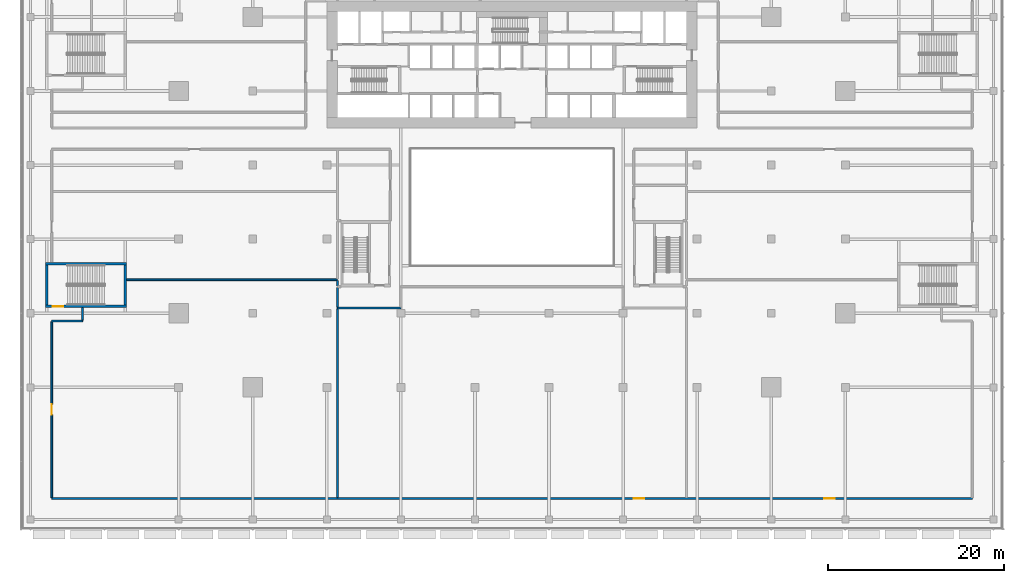
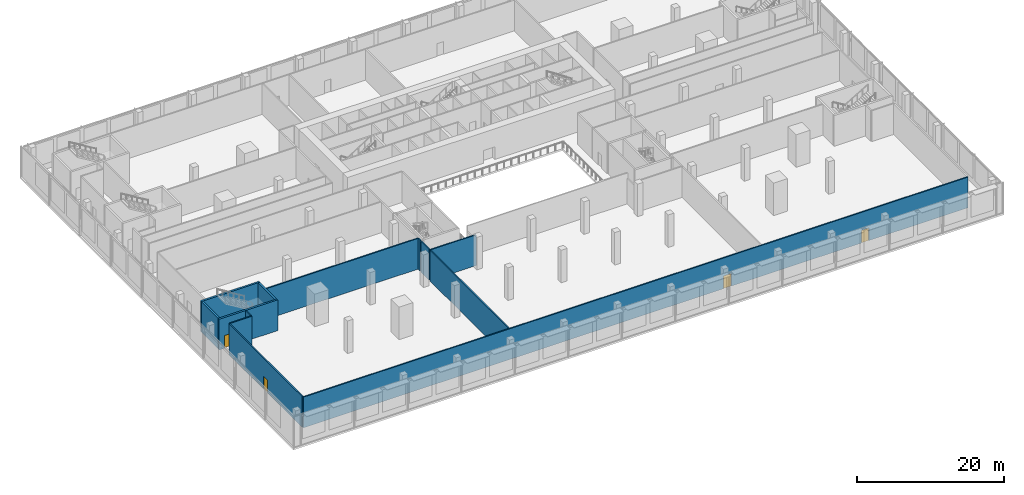
# One storey, part 26 of 39: 13 walls, 4 doors, 4 openings.
"""IFC4 building model written with IfcOpenShell, lengths in metres."""

import ifcopenshell
import ifcopenshell.guid

model = None  # the IFC model being written
_history = None  # IfcOwnerHistory: only IFC2X3 demands one
_inside = {}  # id of a spatial element -> (the spatial element, [elements in it])
_under = {}  # id of a project, library or spatial element -> (it, [spatial elements below it])
_declared = {}  # id of a project -> (the project, [libraries it declares])
_typed = {}  # id of a type object -> (the type object, [elements of that type])
_made_of = {}  # id of a material, layer set ... -> (it, [elements and type objects made of it])


def new_model(schema):
    """Start an empty IFC model of exactly this schema.

    Asked for "IFC4X3", IfcOpenShell would pick the latest addendum, in which some entities
    have other attributes; the version numbers below select the first issue.
    IFC2X3 requires an IfcOwnerHistory on every rooted entity: one is made here for all.
    """
    global model, _history
    if schema == "IFC4X3":
        model = ifcopenshell.file(schema_version=(4, 3, 0, 0))
    else:
        model = ifcopenshell.file(schema=schema)
    _inside.clear()
    _under.clear()
    _declared.clear()
    _typed.clear()
    _made_of.clear()
    _history = None
    if model.schema == "IFC2X3":
        org = make("IfcOrganization", Name="unknown")
        user = make(
            "IfcPersonAndOrganization",
            ThePerson=make("IfcPerson", FamilyName="unknown"),
            TheOrganization=org,
        )
        app = make(
            "IfcApplication",
            ApplicationDeveloper=org,
            Version="unknown",
            ApplicationFullName="unknown",
            ApplicationIdentifier="unknown",
        )
        _history = make(
            "IfcOwnerHistory",
            OwningUser=user,
            OwningApplication=app,
            ChangeAction="ADDED",
            CreationDate=0,
        )
    return model


def make(cls, **values):
    """One entity of the class cls with the attributes given. An attribute that is None is left unset."""
    return model.create_entity(
        cls, **{name: value for name, value in values.items() if value is not None}
    )


def rooted(cls, **values):
    """An entity with a GlobalId (a new one), such as an element, a storey or a relation."""
    return make(cls, GlobalId=ifcopenshell.guid.new(), OwnerHistory=_history, **values)


def si_unit(unit_type, name, prefix=None):
    """IfcSIUnit, for example si_unit("LENGTHUNIT", "METRE", prefix="MILLI")."""
    return make("IfcSIUnit", UnitType=unit_type, Prefix=prefix, Name=name)


def assignment(units):
    """IfcUnitAssignment: the units of a project."""
    return None if units is None else make("IfcUnitAssignment", Units=units)


def point(xyz):
    """IfcCartesianPoint."""
    return None if xyz is None else make("IfcCartesianPoint", Coordinates=xyz)


def direction(xyz):
    """IfcDirection."""
    return None if xyz is None else make("IfcDirection", DirectionRatios=xyz)


def frame(location, z_axis=None, x_axis=None):
    """IfcAxis2Placement3D, a coordinate frame: its origin and axes. An axis left out is left unset."""
    return make(
        "IfcAxis2Placement3D",
        Location=point(location),
        Axis=direction(z_axis),
        RefDirection=direction(x_axis),
    )


def frame_2d(location, x_axis=None):
    """IfcAxis2Placement2D, a coordinate frame in the plane: its origin and x axis."""
    return make(
        "IfcAxis2Placement2D", Location=point(location), RefDirection=direction(x_axis)
    )


def origin():
    """The frame at (0, 0, 0) with its axes left unset."""
    return frame((0.0, 0.0, 0.0))


def place(relative_to, where):
    """IfcLocalPlacement: puts the frame where relative to a parent placement (None: the world)."""
    return make(
        "IfcLocalPlacement", PlacementRelTo=relative_to, RelativePlacement=where
    )


def context(
    kind, dimensions, precision=None, world=None, true_north=None, identifier=None
):
    """IfcGeometricRepresentationContext, for example the 3D "Model" context."""
    return make(
        "IfcGeometricRepresentationContext",
        ContextIdentifier=identifier,
        ContextType=kind,
        CoordinateSpaceDimension=dimensions,
        Precision=precision,
        WorldCoordinateSystem=world,
        TrueNorth=true_north,
    )


def subcontext(parent, identifier, kind, view, scale=None):
    """IfcGeometricRepresentationSubContext, for example "Body" below "Model"."""
    return make(
        "IfcGeometricRepresentationSubContext",
        ContextIdentifier=identifier,
        ContextType=kind,
        ParentContext=parent,
        TargetScale=scale,
        TargetView=view,
    )


def project(units=None, contexts=None):
    """IfcProject with its units and contexts."""
    return rooted(
        "IfcProject",
        Name="project",
        RepresentationContexts=contexts,
        UnitsInContext=assignment(units),
    )


def spatial(cls, under=None, at=None, **own):
    """A site, building, storey or space (cls), placed at a placement, below another one or the project."""
    s = rooted(cls, ObjectPlacement=at, **own)
    if under is not None:
        _under.setdefault(under.id(), (under, []))[1].append(s)
    return s


def profile(cls, at=None, kind="AREA", **sizes):
    """A parametric profile (cls). Its sizes go by their IFC names, for example OverallWidth=200.0."""
    return make(cls, ProfileType=kind, Position=at, **sizes)


def rectangle(**sizes):
    """IfcRectangleProfileDef."""
    return profile("IfcRectangleProfileDef", **sizes)


def extrude(swept, where, along, depth):
    """IfcExtrudedAreaSolid: the profile swept, set in the frame where, extruded along a direction by depth."""
    return make(
        "IfcExtrudedAreaSolid",
        SweptArea=swept,
        Position=where,
        ExtrudedDirection=direction(along),
        Depth=depth,
    )


def shape(context_of_items, identifier, shape_type, items):
    """IfcShapeRepresentation: the items that make up one representation, for example the "Body"."""
    return make(
        "IfcShapeRepresentation",
        ContextOfItems=context_of_items,
        RepresentationIdentifier=identifier,
        RepresentationType=shape_type,
        Items=items,
    )


def material(Name=None, Category=None):
    """IfcMaterial."""
    return make("IfcMaterial", Name=Name, Category=Category)


def layer(
    of_material, thickness, ventilated=None, Name=None, Category=None, Priority=None
):
    """IfcMaterialLayer: one layer of a wall or slab, of a material (None: an air gap)."""
    return make(
        "IfcMaterialLayer",
        Material=of_material,
        LayerThickness=thickness,
        IsVentilated=ventilated,
        Name=Name,
        Category=Category,
        Priority=Priority,
    )


def layer_set(layers, Name=None):
    """IfcMaterialLayerSet."""
    return make("IfcMaterialLayerSet", MaterialLayers=layers, LayerSetName=Name)


def made_of(thing, what):
    """Note that an element or type object is made of a material, layer set ...; save() writes the relation."""
    if what is not None:
        _made_of.setdefault(what.id(), (what, []))[1].append(thing)
    return thing


def type_object(cls, material=None, **own):
    """A type object (cls), such as IfcWallType, which elements share."""
    return made_of(rooted(cls, **own), material)


def element(
    cls,
    number,
    at=None,
    inside=None,
    cuts=None,
    type_object=None,
    material=None,
    context=None,
    identifier="Body",
    shape_type=None,
    held_by="IfcProductDefinitionShape",
    body=None,
    shapes=None,
    **own,
):
    """One element of the class cls, such as IfcWall. Its Tag is "e" and its number.

    at: its placement. inside: the storey or other place that contains it. cuts: it is an
    opening in that element (IfcRelVoidsElement). A single representation is given by context,
    identifier, shape_type and body (its items); several are given by shapes. held_by: the class
    of the entity that holds the representations. save() writes the other relations.
    """
    e = rooted(cls, Tag="e%d" % number, ObjectPlacement=at, **own)
    if body is not None:
        shapes = [shape(context, identifier, shape_type, body)]
    if shapes is not None:
        e.Representation = make(held_by, Representations=shapes)
    if inside is not None:
        _inside.setdefault(inside.id(), (inside, []))[1].append(e)
    if cuts is not None:
        rooted(
            "IfcRelVoidsElement", RelatingBuildingElement=cuts, RelatedOpeningElement=e
        )
    if type_object is not None:
        _typed.setdefault(type_object.id(), (type_object, []))[1].append(e)
    return made_of(e, material)


def fill(opening, filler):
    """IfcRelFillsElement: the door or window that sits in an opening."""
    return rooted(
        "IfcRelFillsElement",
        RelatingOpeningElement=opening,
        RelatedBuildingElement=filler,
    )


def aggregate(whole, parts):
    """IfcRelAggregates: a whole, such as a stair, and the parts it consists of."""
    return rooted("IfcRelAggregates", RelatingObject=whole, RelatedObjects=parts)


def save(model, path):
    """Write the relations noted so far, then the file.

    IfcRelAggregates (storeys below a building ...), IfcRelContainedInSpatialStructure (elements
    in a storey), IfcRelDefinesByType, IfcRelAssociatesMaterial and IfcRelDeclares: one each for
    every whole, place, type object, material and project.
    """
    for whole, parts in _under.values():
        aggregate(whole, parts)
    for where, things in _inside.values():
        rooted(
            "IfcRelContainedInSpatialStructure",
            RelatedElements=things,
            RelatingStructure=where,
        )
    for kind, things in _typed.values():
        rooted("IfcRelDefinesByType", RelatedObjects=things, RelatingType=kind)
    for what, things in _made_of.values():
        rooted("IfcRelAssociatesMaterial", RelatedObjects=things, RelatingMaterial=what)
    for by, libraries in _declared.values():
        rooted("IfcRelDeclares", RelatingContext=by, RelatedDefinitions=libraries)
    model.write(path)


model = new_model("IFC4")

# Units and contexts
model_context = context("Model", 3, precision=1e-05, world=origin(), true_north=direction((0.0, 1.0)))
body_context = subcontext(model_context, "Body", "Model", "MODEL_VIEW")
ifc_project = project(units=[si_unit("LENGTHUNIT", "METRE"), si_unit("AREAUNIT", "SQUARE_METRE"), si_unit("VOLUMEUNIT", "CUBIC_METRE"), si_unit("PLANEANGLEUNIT", "RADIAN"), si_unit("MASSUNIT", "GRAM", prefix="KILO")], contexts=[model_context])

# Site, building, storey
site_placement = place(None, origin())
site = spatial("IfcSite", under=ifc_project, at=site_placement, CompositionType="ELEMENT")
building_placement = place(site_placement, origin())
building = spatial("IfcBuilding", under=site, at=building_placement, Name="Saffron Gate Tower", CompositionType="ELEMENT")
storey_placement = place(building_placement, frame((0.0, 0.0, 9.0)))
storey = spatial("IfcBuildingStorey", under=building, at=storey_placement, Name="L01", CompositionType="ELEMENT", Elevation=9.0)

# Wall, opening, door
ifc_material_1 = material(Name="Concrete C70", Category="concrete")
ifc_layer_1 = layer(ifc_material_1, 0.300048828125)
ifc_layer_set_1 = layer_set([ifc_layer_1], Name="CW5 RC core wall 300 C70")
wall_type_1 = type_object("IfcWallType", Name="CW5 RC core wall 300 C70", PredefinedType="SOLIDWALL", material=ifc_layer_set_1)
wall_1_placement = place(storey_placement, frame((34.699951171875, 40.97509765625, 0.0), z_axis=(0.0, 0.0, 1.0), x_axis=(1.0, 0.0, 0.0)))
wall_1 = element("IfcWall", 1, at=wall_1_placement, inside=storey, type_object=wall_type_1, Name="Wall CW5-L01-H-1", PredefinedType="SOLIDWALL", context=body_context, shape_type="SweptSolid", body=[
    extrude(rectangle(XDim=9.199951171875, YDim=0.300048828125, at=frame_2d((4.60009765625, 0.0))), origin(), (0.0, 0.0, 1.0), 5.10009765625),
])
opening_1_placement = place(wall_1_placement, frame((0.800048828125, 0.0, 0.0)))
opening_1 = element("IfcOpeningElement", 2, at=opening_1_placement, cuts=wall_1, Name="Opening CR-32", PredefinedType="OPENING", context=body_context, shape_type="SweptSolid", body=[
    extrude(rectangle(XDim=1.199951171875, YDim=2.10009765625, at=frame_2d((0.60009765625, 1.050048828125))), frame((0.0, 0.16015625, 0.0), z_axis=(0.0, -1.0, 0.0), x_axis=(1.0, 0.0, 0.0)), (0.0, 0.0, 1.0), 0.320068359375),
])
ifc_material_2 = material(Name="Steel fire door set", Category="steel")
door_type_1 = type_object("IfcDoorType", Name="CD12 Stair door 1200x2100 EI 120", OperationType="NOTDEFINED", PredefinedType="DOOR", material=ifc_material_2)
door_1_placement = place(opening_1_placement, origin())
door_1 = element("IfcDoor", 3, at=door_1_placement, inside=storey, type_object=door_type_1, Name="DOOR CR-32", OperationType="SINGLE_SWING_RIGHT", OverallHeight=2.10009765625, OverallWidth=1.199951171875, PredefinedType="DOOR", context=body_context, shape_type="SweptSolid", body=[
    extrude(rectangle(XDim=1.199951171875, YDim=2.10009765625, at=frame_2d((0.60009765625, 1.050048828125))), frame((0.0, 0.02490234375, 0.0), z_axis=(0.0, -1.0, 0.0), x_axis=(1.0, 0.0, 0.0)), (0.0, 0.0, 1.0), 0.050048828125),
])
fill(opening_1, door_1)

# Walls
for number, where, z_axis, x_axis, name in (
    (4, (34.85009765625, 41.125, 0.0), (0.0, 0.0, 1.0), (0.0, 1.0, 0.0), "Wall CW5-L01-H-2"),
    (5, (43.75, 41.125, 0.0), (0.0, 0.0, 1.0), (0.0, 1.0, 0.0), "Wall CW5-L01-H-3"),
):
    element("IfcWall", number, at=place(storey_placement, frame(where, z_axis=z_axis, x_axis=x_axis)), inside=storey, type_object=wall_type_1, Name=name, PredefinedType="SOLIDWALL", context=body_context, shape_type="SweptSolid", body=[
        extrude(rectangle(XDim=4.550048828125, YDim=0.300048828125, at=frame_2d((2.27490234375, 0.0))), origin(), (0.0, 0.0, 1.0), 5.10009765625),
    ])
wall_2_placement = place(storey_placement, frame((34.699951171875, 45.824951171875, 0.0), z_axis=(0.0, 0.0, 1.0), x_axis=(1.0, 0.0, 0.0)))
element("IfcWall", 6, at=wall_2_placement, inside=storey, type_object=wall_type_1, Name="Wall CW5-L01-H-4", PredefinedType="SOLIDWALL", context=body_context, shape_type="SweptSolid", body=[
    extrude(rectangle(XDim=9.199951171875, YDim=0.300048828125, at=frame_2d((4.60009765625, 0.0))), origin(), (0.0, 0.0, 1.0), 5.10009765625),
])

# Wall, openings, doors
ifc_material_3 = material(Name="Clay brick masonry, rendered", Category="masonry")
ifc_layer_2 = layer(ifc_material_3, 0.199951171875)
ifc_layer_set_2 = layer_set([ifc_layer_2], Name="PW3 Corridor wall 200")
wall_type_2 = type_object("IfcWallType", Name="PW3 Corridor wall 200", PredefinedType="PARTITIONING", material=ifc_layer_set_2)
wall_3_placement = place(storey_placement, frame((35.39990234375, 19.199951171875, 0.0), z_axis=(0.0, 0.0, 1.0), x_axis=(1.0, 0.0, 0.0)))
wall_3 = element("IfcWall", 7, at=wall_3_placement, inside=storey, type_object=wall_type_2, Name="Wall P1-1", PredefinedType="PARTITIONING", context=body_context, shape_type="SweptSolid", body=[
    extrude(rectangle(XDim=104.400146484375, YDim=0.199951171875, at=frame_2d((52.2001953125, 0.0))), origin(), (0.0, 0.0, 1.0), 5.10009765625),
])
opening_2_placement = place(wall_3_placement, frame((66.0, 0.0, 0.0)))
opening_2 = element("IfcOpeningElement", 8, at=opening_2_placement, cuts=wall_3, Name="Opening P1-10", PredefinedType="OPENING", context=body_context, shape_type="SweptSolid", body=[
    extrude(rectangle(XDim=1.199951171875, YDim=2.10009765625, at=frame_2d((0.60009765625, 1.050048828125))), frame((0.0, 0.10986328125, 0.0), z_axis=(0.0, -1.0, 0.0), x_axis=(1.0, 0.0, 0.0)), (0.0, 0.0, 1.0), 0.219970703125),
])
opening_3_placement = place(wall_3_placement, frame((87.60009765625, 0.0, 0.0)))
opening_3 = element("IfcOpeningElement", 9, at=opening_3_placement, cuts=wall_3, Name="Opening P1-8", PredefinedType="OPENING", context=body_context, shape_type="SweptSolid", body=[
    extrude(rectangle(XDim=1.199951171875, YDim=2.10009765625, at=frame_2d((0.60009765625, 1.050048828125))), frame((0.0, 0.10986328125, 0.0), z_axis=(0.0, -1.0, 0.0), x_axis=(1.0, 0.0, 0.0)), (0.0, 0.0, 1.0), 0.219970703125),
])
ifc_material_4 = material(Name="Timber door set", Category="wood")
door_type_2 = type_object("IfcDoorType", Name="HD1 Hall door 1200x2100", OperationType="NOTDEFINED", PredefinedType="DOOR", material=ifc_material_4)
door_2_placement = place(opening_2_placement, origin())
door_2 = element("IfcDoor", 10, at=door_2_placement, inside=storey, type_object=door_type_2, Name="Door P1-10", OperationType="SINGLE_SWING_RIGHT", OverallHeight=2.10009765625, OverallWidth=1.199951171875, PredefinedType="DOOR", context=body_context, shape_type="SweptSolid", body=[
    extrude(rectangle(XDim=1.199951171875, YDim=2.10009765625, at=frame_2d((0.60009765625, 1.050048828125))), frame((0.0, 0.02490234375, 0.0), z_axis=(0.0, -1.0, 0.0), x_axis=(1.0, 0.0, 0.0)), (0.0, 0.0, 1.0), 0.050048828125),
])
fill(opening_2, door_2)
door_3_placement = place(opening_3_placement, origin())
door_3 = element("IfcDoor", 11, at=door_3_placement, inside=storey, type_object=door_type_2, Name="Door P1-8", OperationType="SINGLE_SWING_LEFT", OverallHeight=2.10009765625, OverallWidth=1.199951171875, PredefinedType="DOOR", context=body_context, shape_type="SweptSolid", body=[
    extrude(rectangle(XDim=1.199951171875, YDim=2.10009765625, at=frame_2d((0.60009765625, 1.050048828125))), frame((0.0, 0.02490234375, 0.0), z_axis=(0.0, -1.0, 0.0), x_axis=(1.0, 0.0, 0.0)), (0.0, 0.0, 1.0), 0.050048828125),
])
fill(opening_3, door_3)

# Walls
wall_4_placement = place(storey_placement, frame((35.39990234375, 39.324951171875, 0.0), z_axis=(0.0, 0.0, 1.0), x_axis=(1.0, 0.0, 0.0)))
element("IfcWall", 12, at=wall_4_placement, inside=storey, type_object=wall_type_2, Name="Wall P1-2", PredefinedType="PARTITIONING", context=body_context, shape_type="SweptSolid", body=[
    extrude(rectangle(XDim=3.5, YDim=0.199951171875, at=frame_2d((1.75, 0.0))), origin(), (0.0, 0.0, 1.0), 5.10009765625),
])
wall_5_placement = place(storey_placement, frame((67.800048828125, 40.800048828125, 0.0), z_axis=(0.0, 0.0, 1.0), x_axis=(1.0, 0.0, 0.0)))
element("IfcWall", 13, at=wall_5_placement, inside=storey, type_object=wall_type_2, Name="Wall P1-4", PredefinedType="PARTITIONING", context=body_context, shape_type="SweptSolid", body=[
    extrude(rectangle(XDim=7.199951171875, YDim=0.199951171875, at=frame_2d((3.60009765625, 0.0))), origin(), (0.0, 0.0, 1.0), 5.10009765625),
])

# Wall, opening, door
wall_6_placement = place(storey_placement, frame((35.39990234375, 39.22509765625, 0.0), z_axis=(0.0, 0.0, 1.0), x_axis=(0.0, -1.0, 0.0)))
wall_6 = element("IfcWall", 14, at=wall_6_placement, inside=storey, type_object=wall_type_2, Name="Wall P1-34", PredefinedType="PARTITIONING", context=body_context, shape_type="SweptSolid", body=[
    extrude(rectangle(XDim=19.925048828125, YDim=0.199951171875, at=frame_2d((9.96240234375, 0.0))), origin(), (0.0, 0.0, 1.0), 5.10009765625),
])
opening_4_placement = place(wall_6_placement, frame((9.362548828125, 0.0, 0.0)))
opening_4 = element("IfcOpeningElement", 15, at=opening_4_placement, cuts=wall_6, Name="Opening P1-11", PredefinedType="OPENING", context=body_context, shape_type="SweptSolid", body=[
    extrude(rectangle(XDim=1.199951171875, YDim=2.10009765625, at=frame_2d((0.60009765625, 1.050048828125))), frame((0.0, 0.10986328125, 0.0), z_axis=(0.0, -1.0, 0.0), x_axis=(1.0, 0.0, 0.0)), (0.0, 0.0, 1.0), 0.219970703125),
])
door_4_placement = place(opening_4_placement, origin())
door_4 = element("IfcDoor", 16, at=door_4_placement, inside=storey, type_object=door_type_2, Name="Door P1-11", OperationType="SINGLE_SWING_RIGHT", OverallHeight=2.10009765625, OverallWidth=1.199951171875, PredefinedType="DOOR", context=body_context, shape_type="SweptSolid", body=[
    extrude(rectangle(XDim=1.199951171875, YDim=2.10009765625, at=frame_2d((0.60009765625, 1.050048828125))), frame((0.0, 0.02490234375, 0.0), z_axis=(0.0, -1.0, 0.0), x_axis=(1.0, 0.0, 0.0)), (0.0, 0.0, 1.0), 0.050048828125),
])
fill(opening_4, door_4)

# Walls
wall_7_placement = place(storey_placement, frame((38.89990234375, 40.824951171875, 0.0), z_axis=(0.0, 0.0, 1.0), x_axis=(0.0, -1.0, 0.0)))
element("IfcWall", 17, at=wall_7_placement, inside=storey, type_object=wall_type_2, Name="Wall P1-39", PredefinedType="PARTITIONING", context=body_context, shape_type="SweptSolid", body=[
    extrude(rectangle(XDim=1.39990234375, YDim=0.199951171875, at=frame_2d((0.699951171875, 0.0))), origin(), (0.0, 0.0, 1.0), 5.10009765625),
])
wall_8_placement = place(storey_placement, frame((67.800048828125, 43.10009765625, 0.0), z_axis=(0.0, 0.0, 1.0), x_axis=(0.0, -1.0, 0.0)))
element("IfcWall", 18, at=wall_8_placement, inside=storey, type_object=wall_type_2, Name="Wall P1-46", PredefinedType="PARTITIONING", context=body_context, shape_type="SweptSolid", body=[
    extrude(rectangle(XDim=2.2001953125, YDim=0.199951171875, at=frame_2d((1.10009765625, 0.0))), origin(), (0.0, 0.0, 1.0), 5.10009765625),
])
ifc_layer_3 = layer(ifc_material_3, 0.199951171875)
ifc_layer_set_3 = layer_set([ifc_layer_3], Name="PW5 Room wall 200")
wall_type_3 = type_object("IfcWallType", Name="PW5 Room wall 200", PredefinedType="PARTITIONING", material=ifc_layer_set_3)
wall_9_placement = place(storey_placement, frame((43.89990234375, 44.0, 0.0), z_axis=(0.0, 0.0, 1.0), x_axis=(1.0, 0.0, 0.0)))
element("IfcWall", 19, at=wall_9_placement, inside=storey, type_object=wall_type_3, Name="Wall P1-9", PredefinedType="PARTITIONING", context=body_context, shape_type="SweptSolid", body=[
    extrude(rectangle(XDim=23.900146484375, YDim=0.199951171875, at=frame_2d((11.9501953125, 0.0))), origin(), (0.0, 0.0, 1.0), 5.10009765625),
])
wall_10_placement = place(storey_placement, frame((67.800048828125, 43.89990234375, 0.0), z_axis=(0.0, 0.0, 1.0), x_axis=(0.0, -1.0, 0.0)))
element("IfcWall", 20, at=wall_10_placement, inside=storey, type_object=wall_type_3, Name="Wall P1-47", PredefinedType="PARTITIONING", context=body_context, shape_type="SweptSolid", body=[
    extrude(rectangle(XDim=0.599853515625, YDim=0.199951171875, at=frame_2d((0.2998046875, 0.0))), origin(), (0.0, 0.0, 1.0), 5.10009765625),
])
wall_11_placement = place(storey_placement, frame((67.800048828125, 40.699951171875, 0.0), z_axis=(0.0, 0.0, 1.0), x_axis=(0.0, -1.0, 0.0)))
element("IfcWall", 21, at=wall_11_placement, inside=storey, type_object=wall_type_3, Name="Wall P1-50", PredefinedType="PARTITIONING", context=body_context, shape_type="SweptSolid", body=[
    extrude(rectangle(XDim=21.39990234375, YDim=0.199951171875, at=frame_2d((10.699951171875, 0.0))), origin(), (0.0, 0.0, 1.0), 5.10009765625),
])

save(model, "model.ifc")
